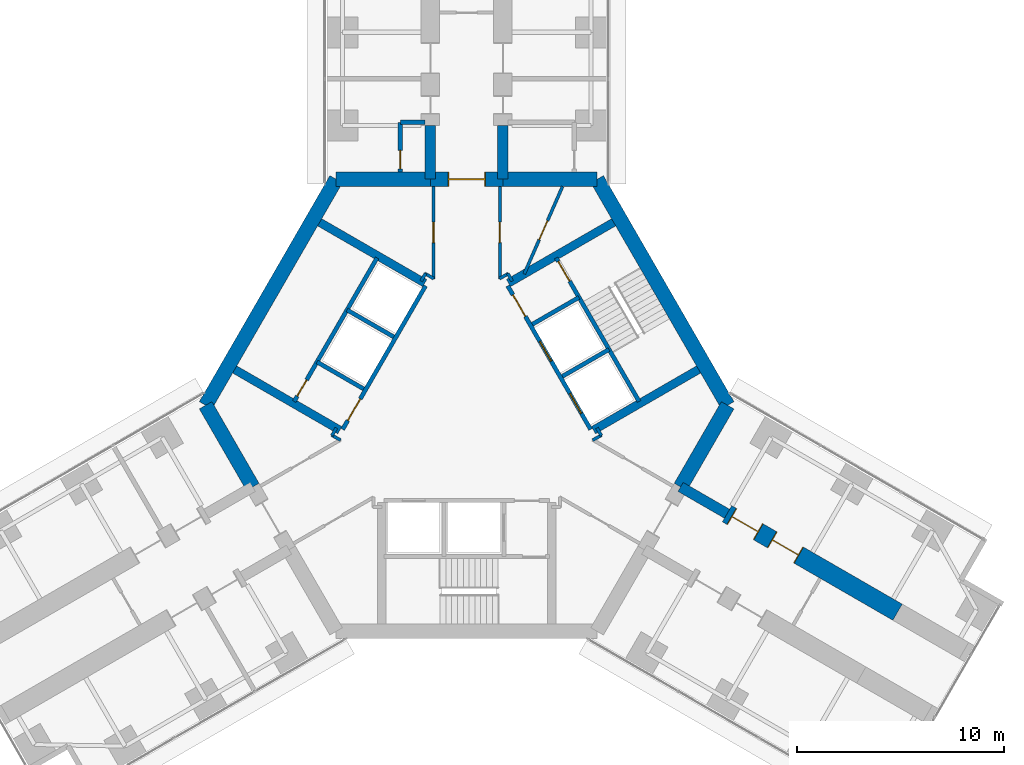
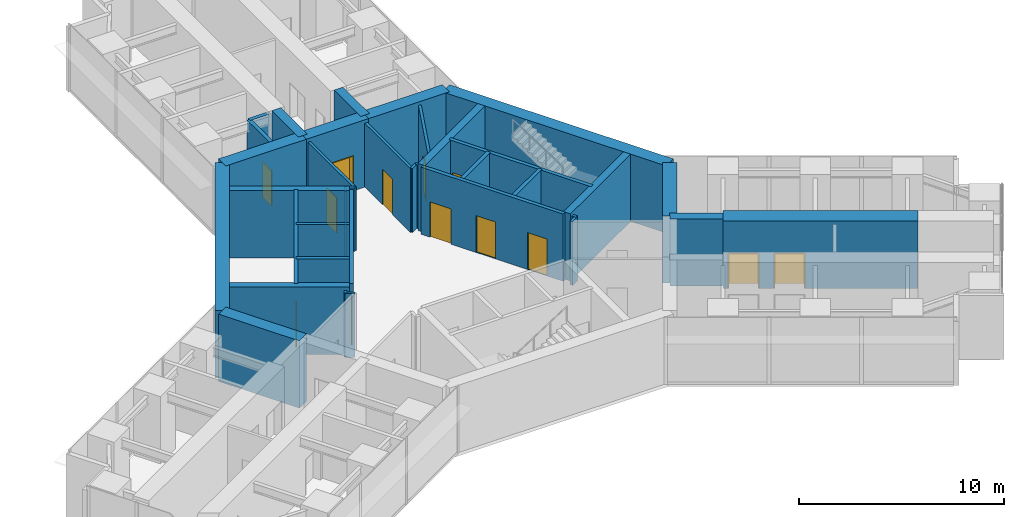
# One storey, part 20 of 23: 36 walls, 13 doors, 13 openings.
"""IFC4 building model written with IfcOpenShell, lengths in metres."""

from ifc_helpers import new_model, si_unit, direction, frame, frame_2d, origin, place, context, subcontext, project, spatial, rectangle, extrude, material, layer, layer_set, type_object, element, fill, save


model = new_model("IFC4")

# Units and contexts
model_context = context("Model", 3, precision=1e-05, world=origin(), true_north=direction((0.0, 1.0)))
body_context = subcontext(model_context, "Body", "Model", "MODEL_VIEW")
ifc_project = project(units=[si_unit("LENGTHUNIT", "METRE"), si_unit("AREAUNIT", "SQUARE_METRE"), si_unit("VOLUMEUNIT", "CUBIC_METRE"), si_unit("PLANEANGLEUNIT", "RADIAN"), si_unit("MASSUNIT", "GRAM", prefix="KILO")], contexts=[model_context])

# Site, building, storey
site_placement = place(None, origin())
site = spatial("IfcSite", under=ifc_project, at=site_placement, CompositionType="ELEMENT")
building_placement = place(site_placement, origin())
building = spatial("IfcBuilding", under=site, at=building_placement, Name="Upepo Twin Towers", CompositionType="ELEMENT")
storey_placement = place(building_placement, frame((0.0, 0.0, 24.5)))
storey = spatial("IfcBuildingStorey", under=building, at=storey_placement, Name="L05", CompositionType="ELEMENT", Elevation=24.5)

# Wall, opening, door
ifc_material_1 = material(Name="Concrete blockwork, plastered both faces", Category="masonry")
ifc_layer_1 = layer(ifc_material_1, 0.215087890625)
ifc_layer_set_1 = layer_set([ifc_layer_1], Name="Blockwork partition 215")
wall_type_1 = type_object("IfcWallType", Name="Blockwork partition 215", PredefinedType="PARTITIONING", material=ifc_layer_set_1)
wall_1_placement = place(storey_placement, frame((55.300048828125, -6.741943359375, 0.0), z_axis=(0.0, 0.0, 1.0), x_axis=(0.0, 1.0, 0.0)))
wall_1 = element("IfcWall", 1, at=wall_1_placement, inside=storey, type_object=wall_type_1, Name="T2 WC bay partition AL at 11.26", PredefinedType="PARTITIONING", context=body_context, shape_type="SweptSolid", body=[
    extrude(rectangle(XDim=2.39990234375, YDim=0.215087890625, at=frame_2d((1.199951171875, 0.0))), origin(), (0.0, 0.0, 1.0), 3.800048828125),
])
opening_1_placement = place(wall_1_placement, frame((0.14990234375, 0.0, 0.0)))
opening_1 = element("IfcOpeningElement", 2, at=opening_1_placement, cuts=wall_1, Name="Opening D14", PredefinedType="OPENING", context=body_context, shape_type="SweptSolid", body=[
    extrude(rectangle(XDim=0.89990234375, YDim=2.10009765625, at=frame_2d((0.449951171875, 1.050048828125))), frame((0.0, 0.117431640625, 0.0), z_axis=(0.0, -1.0, 0.0), x_axis=(1.0, 0.0, 0.0)), (0.0, 0.0, 1.0), 0.235107421875),
])
ifc_material_2 = material(Name="Timber doorset", Category="wood")
door_type_1 = type_object("IfcDoorType", Name="Office door 900 FD30", OperationType="SINGLE_SWING_LEFT", PredefinedType="DOOR", material=ifc_material_2)
door_1_placement = place(opening_1_placement, origin())
door_1 = element("IfcDoor", 3, at=door_1_placement, inside=storey, type_object=door_type_1, Name="T2 L05 WC bay inner room door", OperationType="SINGLE_SWING_LEFT", OverallHeight=2.10009765625, OverallWidth=0.89990234375, PredefinedType="DOOR", context=body_context, shape_type="SweptSolid", body=[
    extrude(rectangle(XDim=0.89990234375, YDim=2.10009765625, at=frame_2d((0.449951171875, 1.050048828125))), frame((0.0, 0.02490234375, 0.0), z_axis=(0.0, -1.0, 0.0), x_axis=(1.0, 0.0, 0.0)), (0.0, 0.0, 1.0), 0.050048828125),
])
fill(opening_1, door_1)

# Walls
wall_2_placement = place(storey_placement, frame((56.5, -4.342041015625, 0.0), z_axis=(0.0, 0.0, 1.0), x_axis=(-1.0, 0.0, 0.0)))
element("IfcWall", 4, at=wall_2_placement, inside=storey, type_object=wall_type_1, Name="T2 WC bay partition AL end at 13.66", PredefinedType="PARTITIONING", context=body_context, shape_type="SweptSolid", body=[
    extrude(rectangle(XDim=1.199951171875, YDim=0.215087890625, at=frame_2d((0.60009765625, 0.0))), origin(), (0.0, 0.0, 1.0), 3.800048828125),
])
ifc_material_3 = material(Name="Concrete C60/75", Category="concrete")
ifc_layer_2 = layer(ifc_material_3, 0.5)
ifc_layer_set_2 = layer_set([ifc_layer_2], Name="Concrete C60/75")
wall_type_2 = type_object("IfcWallType", Name="Buttress wall 500 RC", PredefinedType="SHEAR", material=ifc_layer_set_2)
for number, where, z_axis, x_axis, name in (
    (5, (56.75, -7.091552734375, 0.0), (0.0, 0.0, 1.0), (0.0, 1.0, 0.0), "T2 wing A buttress wall L"),
    (6, (60.25, -7.091552734375, 0.0), (0.0, 0.0, 1.0), (0.0, 1.0, 0.0), "T2 wing A buttress wall R"),
):
    element("IfcWall", number, at=place(storey_placement, frame(where, z_axis=z_axis, x_axis=x_axis)), inside=storey, type_object=wall_type_2, Name=name, PredefinedType="SHEAR", context=body_context, shape_type="SweptSolid", body=[
        extrude(rectangle(XDim=2.591552734375, YDim=0.5, at=frame_2d((1.2958984375, 0.0))), origin(), (0.0, 0.0, 1.0), 4.0),
    ])
wall_3_placement = place(storey_placement, frame((68.82177734375, -21.938720703125, 0.0), z_axis=(0.0, 0.0, 1.0), x_axis=(0.866072649678, -0.499918158782, 0.0)))
element("IfcWall", 7, at=wall_3_placement, inside=storey, type_object=wall_type_2, Name="T2 wing C buttress wall L", PredefinedType="SHEAR", context=body_context, shape_type="SweptSolid", body=[
    extrude(rectangle(XDim=2.591796875, YDim=0.5, at=frame_2d((1.2958984375, 0.0))), origin(), (0.0, 0.0, 1.0), 4.0),
])

# Wall, openings, doors
ifc_material_4 = material(Name="Concrete C60/75", Category="concrete")
ifc_layer_3 = layer(ifc_material_4, 0.89990234375)
ifc_layer_set_3 = layer_set([ifc_layer_3], Name="Concrete C60/75")
wall_type_3 = type_object("IfcWallType", Name="Buttress wall 900 RC", PredefinedType="SHEAR", material=ifc_layer_set_3)
wall_4_placement = place(storey_placement, frame((71.06640625, -23.234375, 0.0), z_axis=(0.0, 0.0, 1.0), x_axis=(0.86602681393, -0.499997557548, 0.0)))
wall_4 = element("IfcWall", 8, at=wall_4_placement, inside=storey, type_object=wall_type_3, Name="T2 wing C buttress wall L part 2", PredefinedType="SHEAR", context=body_context, shape_type="SweptSolid", body=[
    extrude(rectangle(XDim=9.5, YDim=0.89990234375, at=frame_2d((4.75, 0.0))), origin(), (0.0, 0.0, 1.0), 4.0),
])
opening_2_placement = place(wall_4_placement, frame((0.25, 0.0, 0.0)))
opening_2 = element("IfcOpeningElement", 9, at=opening_2_placement, cuts=wall_4, Name="Opening D13", PredefinedType="OPENING", context=body_context, shape_type="SweptSolid", body=[
    extrude(rectangle(XDim=1.5, YDim=2.10009765625, at=frame_2d((0.75, 1.050048828125))), frame((0.0, 0.4599609375, 0.0), z_axis=(0.0, -1.0, 0.0), x_axis=(1.0, 0.0, 0.0)), (0.0, 0.0, 1.0), 0.919921875),
])
opening_3_placement = place(wall_4_placement, frame((2.5, 0.0, 0.0)))
opening_3 = element("IfcOpeningElement", 10, at=opening_3_placement, cuts=wall_4, Name="Opening D13", PredefinedType="OPENING", context=body_context, shape_type="SweptSolid", body=[
    extrude(rectangle(XDim=1.5, YDim=2.10009765625, at=frame_2d((0.75, 1.050048828125))), frame((0.0, 0.4599609375, 0.0), z_axis=(0.0, -1.0, 0.0), x_axis=(1.0, 0.0, 0.0)), (0.0, 0.0, 1.0), 0.919921875),
])
ifc_material_5 = material(Name="Timber doorset", Category="wood")
door_type_2 = type_object("IfcDoorType", Name="Double door 1500 FD30", OperationType="DOUBLE_DOOR_SINGLE_SWING", PredefinedType="DOOR", material=ifc_material_5)
door_2_placement = place(opening_2_placement, origin())
door_2 = element("IfcDoor", 11, at=door_2_placement, inside=storey, type_object=door_type_2, Name="T2 L05 lecture room door", OperationType="DOUBLE_DOOR_SINGLE_SWING", OverallHeight=2.10009765625, OverallWidth=1.5, PredefinedType="DOOR", context=body_context, shape_type="SweptSolid", body=[
    extrude(rectangle(XDim=1.42, YDim=2.06009765625, at=frame_2d((0.75, 1.030029296875))), frame((0.0, 0.02490234375, 0.0), z_axis=(0.0, -1.0, 0.0), x_axis=(1.0, 0.0, 0.0)), (0.0, 0.0, 1.0), 0.050048828125),
    extrude(rectangle(XDim=0.04, YDim=2.10009765625, at=frame_2d((0.02001953125, 1.050048828125))), frame((0.0, 0.44970703125, 0.0), z_axis=(0.0, -1.0, 0.0), x_axis=(1.0, 0.0, 0.0)), (0.0, 0.0, 1.0), 0.8994140625),
    extrude(rectangle(XDim=0.04, YDim=2.10009765625, at=frame_2d((1.47998046875, 1.050048828125))), frame((0.0, 0.44970703125, 0.0), z_axis=(0.0, -1.0, 0.0), x_axis=(1.0, 0.0, 0.0)), (0.0, 0.0, 1.0), 0.8994140625),
    extrude(rectangle(XDim=1.42, YDim=0.04, at=frame_2d((0.75, 2.080078125))), frame((0.0, 0.44970703125, 0.0), z_axis=(0.0, -1.0, 0.0), x_axis=(1.0, 0.0, 0.0)), (0.0, 0.0, 1.0), 0.8994140625),
])
fill(opening_2, door_2)
door_3_placement = place(opening_3_placement, origin())
door_3 = element("IfcDoor", 12, at=door_3_placement, inside=storey, type_object=door_type_2, Name="T2 L05 lecture room door", OperationType="DOUBLE_DOOR_SINGLE_SWING", OverallHeight=2.10009765625, OverallWidth=1.5, PredefinedType="DOOR", context=body_context, shape_type="SweptSolid", body=[
    extrude(rectangle(XDim=1.42, YDim=2.06009765625, at=frame_2d((0.75, 1.030029296875))), frame((0.0, 0.02490234375, 0.0), z_axis=(0.0, -1.0, 0.0), x_axis=(1.0, 0.0, 0.0)), (0.0, 0.0, 1.0), 0.050048828125),
    extrude(rectangle(XDim=0.04, YDim=2.10009765625, at=frame_2d((0.02001953125, 1.050048828125))), frame((0.0, 0.44970703125, 0.0), z_axis=(0.0, -1.0, 0.0), x_axis=(1.0, 0.0, 0.0)), (0.0, 0.0, 1.0), 0.8994140625),
    extrude(rectangle(XDim=0.04, YDim=2.10009765625, at=frame_2d((1.47998046875, 1.050048828125))), frame((0.0, 0.44970703125, 0.0), z_axis=(0.0, -1.0, 0.0), x_axis=(1.0, 0.0, 0.0)), (0.0, 0.0, 1.0), 0.8994140625),
    extrude(rectangle(XDim=1.42, YDim=0.04, at=frame_2d((0.75, 2.080078125))), frame((0.0, 0.44970703125, 0.0), z_axis=(0.0, -1.0, 0.0), x_axis=(1.0, 0.0, 0.0)), (0.0, 0.0, 1.0), 0.8994140625),
])
fill(opening_3, door_3)

# Wall
ifc_material_6 = material(Name="Concrete C60/75", Category="concrete")
ifc_layer_4 = layer(ifc_material_6, 0.699951171875)
ifc_layer_set_4 = layer_set([ifc_layer_4], Name="Concrete C60/75")
wall_type_4 = type_object("IfcWallType", Name="Core wall 700 RC", PredefinedType="SHEAR", material=ifc_layer_set_4)
wall_5_placement = place(storey_placement, frame((64.7978515625, -7.091552734375, 0.0), z_axis=(0.0, 0.0, 1.0), x_axis=(-1.0, 0.0, 0.0)))
element("IfcWall", 13, at=wall_5_placement, inside=storey, type_object=wall_type_4, Name="T2 core wall 000 R", PredefinedType="SHEAR", context=body_context, shape_type="SweptSolid", body=[
    extrude(rectangle(XDim=4.5478515625, YDim=0.699951171875, at=frame_2d((2.27392578125, 0.0))), origin(), (0.0, 0.0, 1.0), 4.0),
])

# Wall, opening, door
wall_6_placement = place(storey_placement, frame((60.25, -7.091552734375, 0.0), z_axis=(0.0, 0.0, 1.0), x_axis=(-1.0, 0.0, 0.0)))
wall_6 = element("IfcWall", 14, at=wall_6_placement, inside=storey, type_object=wall_type_4, Name="T2 core wall 000", PredefinedType="SHEAR", context=body_context, shape_type="SweptSolid", body=[
    extrude(rectangle(XDim=3.5, YDim=0.699951171875, at=frame_2d((1.75, 0.0))), origin(), (0.0, 0.0, 1.0), 4.0),
])
opening_4_placement = place(wall_6_placement, frame((0.85009765625, 0.0, 0.0)))
opening_4 = element("IfcOpeningElement", 15, at=opening_4_placement, cuts=wall_6, Name="Opening D2", PredefinedType="OPENING", context=body_context, shape_type="SweptSolid", body=[
    extrude(rectangle(XDim=1.800048828125, YDim=2.10009765625, at=frame_2d((0.89990234375, 1.050048828125))), frame((0.0, 0.35986328125, 0.0), z_axis=(0.0, -1.0, 0.0), x_axis=(1.0, 0.0, 0.0)), (0.0, 0.0, 1.0), 0.719970703125),
])
ifc_material_7 = material(Name="Timber doorset", Category="wood")
door_type_3 = type_object("IfcDoorType", Name="Corridor double door 1800 FD60", OperationType="DOUBLE_DOOR_DOUBLE_SWING", PredefinedType="DOOR", material=ifc_material_7)
door_4_placement = place(opening_4_placement, origin())
door_4 = element("IfcDoor", 16, at=door_4_placement, inside=storey, type_object=door_type_3, Name="T2 L05 wing A corridor door", OperationType="DOUBLE_DOOR_DOUBLE_SWING", OverallHeight=2.10009765625, OverallWidth=1.800048828125, PredefinedType="DOOR", context=body_context, shape_type="SweptSolid", body=[
    extrude(rectangle(XDim=1.720048828125, YDim=2.06009765625, at=frame_2d((0.89990234375, 1.030029296875))), frame((0.0, 0.02490234375, 0.0), z_axis=(0.0, -1.0, 0.0), x_axis=(1.0, 0.0, 0.0)), (0.0, 0.0, 1.0), 0.050048828125),
    extrude(rectangle(XDim=0.04, YDim=2.10009765625, at=frame_2d((0.02001953125, 1.050048828125))), frame((0.0, 0.349609375, 0.0), z_axis=(0.0, -1.0, 0.0), x_axis=(1.0, 0.0, 0.0)), (0.0, 0.0, 1.0), 0.699462890625),
    extrude(rectangle(XDim=0.04, YDim=2.10009765625, at=frame_2d((1.780029296875, 1.050048828125))), frame((0.0, 0.349609375, 0.0), z_axis=(0.0, -1.0, 0.0), x_axis=(1.0, 0.0, 0.0)), (0.0, 0.0, 1.0), 0.699462890625),
    extrude(rectangle(XDim=1.720048828125, YDim=0.04, at=frame_2d((0.89990234375, 2.080078125))), frame((0.0, 0.349609375, 0.0), z_axis=(0.0, -1.0, 0.0), x_axis=(1.0, 0.0, 0.0)), (0.0, 0.0, 1.0), 0.699462890625),
])
fill(opening_4, door_4)

# Walls
wall_7_placement = place(storey_placement, frame((56.75, -7.091552734375, 0.0), z_axis=(0.0, 0.0, 1.0), x_axis=(-1.0, 0.0, 0.0)))
element("IfcWall", 17, at=wall_7_placement, inside=storey, type_object=wall_type_4, Name="T2 core wall 000 L", PredefinedType="SHEAR", context=body_context, shape_type="SweptSolid", body=[
    extrude(rectangle(XDim=4.5478515625, YDim=0.699951171875, at=frame_2d((2.27392578125, 0.0))), origin(), (0.0, 0.0, 1.0), 4.0),
])
wall_8_placement = place(storey_placement, frame((52.2021484375, -7.091552734375, 0.0), z_axis=(0.0, 0.0, 1.0), x_axis=(-0.500005998175, -0.866021940709, 0.0)))
element("IfcWall", 18, at=wall_8_placement, inside=storey, type_object=wall_type_4, Name="T2 core wall 060", PredefinedType="SHEAR", context=body_context, shape_type="SweptSolid", body=[
    extrude(rectangle(XDim=12.595947265625, YDim=0.699951171875, at=frame_2d((6.2978515625, 0.0))), origin(), (0.0, 0.0, 1.0), 4.0),
])
for number, where, z_axis, x_axis, name in (
    (19, (45.904052734375, -18.0, 0.0), (0.0, 0.0, 1.0), (0.500024481964, -0.866011268655, 0.0), "T2 core wall 120 R"),
    (20, (68.82177734375, -21.938720703125, 0.0), (0.0, 0.0, 1.0), (0.500024481964, 0.866011268655, 0.0), "T2 core wall 240 L"),
):
    element("IfcWall", number, at=place(storey_placement, frame(where, z_axis=z_axis, x_axis=x_axis)), inside=storey, type_object=wall_type_4, Name=name, PredefinedType="SHEAR", context=body_context, shape_type="SweptSolid", body=[
        extrude(rectangle(XDim=4.548095703125, YDim=0.699951171875, at=frame_2d((2.27392578125, 0.0))), origin(), (0.0, 0.0, 1.0), 4.0),
    ])
wall_9_placement = place(storey_placement, frame((71.095947265625, -18.0, 0.0), z_axis=(0.0, 0.0, 1.0), x_axis=(-0.500005998175, 0.866021940709, 0.0)))
element("IfcWall", 21, at=wall_9_placement, inside=storey, type_object=wall_type_4, Name="T2 core wall 300", PredefinedType="SHEAR", context=body_context, shape_type="SweptSolid", body=[
    extrude(rectangle(XDim=12.595947265625, YDim=0.699951171875, at=frame_2d((6.2978515625, 0.0))), origin(), (0.0, 0.0, 1.0), 4.0),
])

# Wall, opening, door
ifc_material_8 = material(Name="Concrete C40/50", Category="concrete")
ifc_layer_5 = layer(ifc_material_8, 0.199951171875)
ifc_layer_set_5 = layer_set([ifc_layer_5], Name="Concrete C40/50")
wall_type_5 = type_object("IfcWallType", Name="Shaft wall 200 RC", PredefinedType="SHEAR", material=ifc_layer_set_5)
wall_10_placement = place(storey_placement, frame((56.516357421875, -12.23583984375, 0.0), z_axis=(0.0, 0.0, 1.0), x_axis=(-0.49999894854, -0.866026010844, 0.0)))
wall_10 = element("IfcWall", 22, at=wall_10_placement, inside=storey, type_object=wall_type_5, Name="T2 core W60 front wall", PredefinedType="SHEAR", context=body_context, shape_type="SweptSolid", body=[
    extrude(rectangle(XDim=8.0, YDim=0.199951171875, at=frame_2d((4.0, 0.0))), origin(), (0.0, 0.0, 1.0), 4.0),
])
opening_5_placement = place(wall_10_placement, frame((6.300048828125, 0.0, 0.0)))
opening_5 = element("IfcOpeningElement", 23, at=opening_5_placement, cuts=wall_10, Name="Opening D4", PredefinedType="OPENING", context=body_context, shape_type="SweptSolid", body=[
    extrude(rectangle(XDim=1.199951171875, YDim=2.10009765625, at=frame_2d((0.60009765625, 1.050048828125))), frame((0.0, 0.10986328125, 0.0), z_axis=(0.0, -1.0, 0.0), x_axis=(1.0, 0.0, 0.0)), (0.0, 0.0, 1.0), 0.219970703125),
])
ifc_material_9 = material(Name="Timber doorset", Category="wood")
door_type_4 = type_object("IfcDoorType", Name="Lobby door 1200 FD60", OperationType="SINGLE_SWING_LEFT", PredefinedType="DOOR", material=ifc_material_9)
door_5_placement = place(opening_5_placement, origin())
door_5 = element("IfcDoor", 24, at=door_5_placement, inside=storey, type_object=door_type_4, Name="T2 L05 W60 lobby door", OperationType="SINGLE_SWING_RIGHT", OverallHeight=2.10009765625, OverallWidth=1.199951171875, PredefinedType="DOOR", context=body_context, shape_type="SweptSolid", body=[
    extrude(rectangle(XDim=1.199951171875, YDim=2.10009765625, at=frame_2d((0.60009765625, 1.050048828125))), frame((0.0, 0.02490234375, 0.0), z_axis=(0.0, -1.0, 0.0), x_axis=(1.0, 0.0, 0.0)), (0.0, 0.0, 1.0), 0.050048828125),
])
fill(opening_5, door_5)

# Walls
for number, where, z_axis, x_axis, name in (
    (25, (54.979736328125, -14.697265625, 0.0), (0.0, 0.0, 1.0), (-0.866062058628, 0.499936506574, 0.0), "T2 core W60 shaft divider"),
    (26, (53.52978515625, -17.208740234375, 0.0), (0.0, 0.0, 1.0), (-0.866062058628, 0.499936506574, 0.0), "T2 core W60 lobby wall"),
):
    element("IfcWall", number, at=place(storey_placement, frame(where, z_axis=z_axis, x_axis=x_axis)), inside=storey, type_object=wall_type_5, Name=name, PredefinedType="SHEAR", context=body_context, shape_type="SweptSolid", body=[
        extrude(rectangle(XDim=2.599853515625, YDim=0.199951171875, at=frame_2d((1.2998046875, 0.0))), origin(), (0.0, 0.0, 1.0), 4.0),
    ])

# Wall, opening, door
wall_11_placement = place(storey_placement, frame((54.177978515625, -10.885986328125, 0.0), z_axis=(0.0, 0.0, 1.0), x_axis=(-0.49999894854, -0.866026010844, 0.0)))
wall_11 = element("IfcWall", 27, at=wall_11_placement, inside=storey, type_object=wall_type_5, Name="T2 core W60 stair wall", PredefinedType="SHEAR", context=body_context, shape_type="SweptSolid", body=[
    extrude(rectangle(XDim=8.0, YDim=0.199951171875, at=frame_2d((4.0, 0.0))), origin(), (0.0, 0.0, 1.0), 4.0),
])
opening_6_placement = place(wall_11_placement, frame((6.800048828125, 0.0, 0.0)))
opening_6 = element("IfcOpeningElement", 28, at=opening_6_placement, cuts=wall_11, Name="Opening D9", PredefinedType="OPENING", context=body_context, shape_type="SweptSolid", body=[
    extrude(rectangle(XDim=0.89990234375, YDim=2.10009765625, at=frame_2d((0.449951171875, 1.050048828125))), frame((0.0, 0.10986328125, 0.0), z_axis=(0.0, -1.0, 0.0), x_axis=(1.0, 0.0, 0.0)), (0.0, 0.0, 1.0), 0.219970703125),
])
ifc_material_10 = material(Name="Timber doorset", Category="wood")
door_type_5 = type_object("IfcDoorType", Name="Riser door 900 FD60", OperationType="SINGLE_SWING_LEFT", PredefinedType="DOOR", material=ifc_material_10)
door_6_placement = place(opening_6_placement, origin())
door_6 = element("IfcDoor", 29, at=door_6_placement, inside=storey, type_object=door_type_5, Name="T2 L05 riser door", OperationType="SINGLE_SWING_RIGHT", OverallHeight=2.10009765625, OverallWidth=0.89990234375, PredefinedType="DOOR", context=body_context, shape_type="SweptSolid", body=[
    extrude(rectangle(XDim=0.89990234375, YDim=2.10009765625, at=frame_2d((0.449951171875, 1.050048828125))), frame((0.0, 0.02490234375, 0.0), z_axis=(0.0, -1.0, 0.0), x_axis=(1.0, 0.0, 0.0)), (0.0, 0.0, 1.0), 0.050048828125),
])
fill(opening_6, door_6)

# Wall, openings, doors
wall_12_placement = place(storey_placement, frame((64.483642578125, -19.1640625, 0.0), z_axis=(0.0, 0.0, 1.0), x_axis=(-0.49999894854, 0.866026010844, 0.0)))
wall_12 = element("IfcWall", 30, at=wall_12_placement, inside=storey, type_object=wall_type_5, Name="T2 core W300 front wall", PredefinedType="SHEAR", context=body_context, shape_type="SweptSolid", body=[
    extrude(rectangle(XDim=8.0, YDim=0.199951171875, at=frame_2d((4.0, 0.0))), origin(), (0.0, 0.0, 1.0), 4.0),
])
opening_7_placement = place(wall_12_placement, frame((6.300048828125, 0.0, 0.0)))
opening_7 = element("IfcOpeningElement", 31, at=opening_7_placement, cuts=wall_12, Name="Opening D4", PredefinedType="OPENING", context=body_context, shape_type="SweptSolid", body=[
    extrude(rectangle(XDim=1.199951171875, YDim=2.10009765625, at=frame_2d((0.60009765625, 1.050048828125))), frame((0.0, 0.10986328125, 0.0), z_axis=(0.0, -1.0, 0.0), x_axis=(1.0, 0.0, 0.0)), (0.0, 0.0, 1.0), 0.219970703125),
])
opening_8_placement = place(wall_12_placement, frame((0.89990234375, 0.0, 0.0)))
opening_8 = element("IfcOpeningElement", 32, at=opening_8_placement, cuts=wall_12, Name="Opening LD1", PredefinedType="OPENING", context=body_context, shape_type="SweptSolid", body=[
    extrude(rectangle(XDim=1.10009765625, YDim=2.199951171875, at=frame_2d((0.550048828125, 1.10009765625))), frame((0.0, 0.10986328125, 0.0), z_axis=(0.0, -1.0, 0.0), x_axis=(1.0, 0.0, 0.0)), (0.0, 0.0, 1.0), 0.219970703125),
])
opening_9_placement = place(wall_12_placement, frame((3.800048828125, 0.0, 0.0)))
opening_9 = element("IfcOpeningElement", 33, at=opening_9_placement, cuts=wall_12, Name="Opening LD1", PredefinedType="OPENING", context=body_context, shape_type="SweptSolid", body=[
    extrude(rectangle(XDim=1.10009765625, YDim=2.199951171875, at=frame_2d((0.550048828125, 1.10009765625))), frame((0.0, 0.10986328125, 0.0), z_axis=(0.0, -1.0, 0.0), x_axis=(1.0, 0.0, 0.0)), (0.0, 0.0, 1.0), 0.219970703125),
])
ifc_material_11 = material(Name="Steel doorset", Category="steel")
door_type_6 = type_object("IfcDoorType", Name="Lift landing door 1100", OperationType="DOUBLE_DOOR_SLIDING", PredefinedType="DOOR", material=ifc_material_11)
door_7_placement = place(opening_8_placement, origin())
door_7 = element("IfcDoor", 34, at=door_7_placement, inside=storey, type_object=door_type_6, Name="T2 L05 lift LL1 landing door", OperationType="DOUBLE_DOOR_SLIDING", OverallHeight=2.199951171875, OverallWidth=1.10009765625, PredefinedType="DOOR", context=body_context, shape_type="SweptSolid", body=[
    extrude(rectangle(XDim=1.10009765625, YDim=2.199951171875, at=frame_2d((0.550048828125, 1.10009765625))), frame((0.0, 0.02490234375, 0.0), z_axis=(0.0, -1.0, 0.0), x_axis=(1.0, 0.0, 0.0)), (0.0, 0.0, 1.0), 0.050048828125),
])
fill(opening_8, door_7)
door_8_placement = place(opening_9_placement, origin())
door_8 = element("IfcDoor", 35, at=door_8_placement, inside=storey, type_object=door_type_6, Name="T2 L05 lift LL2 landing door", OperationType="DOUBLE_DOOR_SLIDING", OverallHeight=2.199951171875, OverallWidth=1.10009765625, PredefinedType="DOOR", context=body_context, shape_type="SweptSolid", body=[
    extrude(rectangle(XDim=1.10009765625, YDim=2.199951171875, at=frame_2d((0.550048828125, 1.10009765625))), frame((0.0, 0.02490234375, 0.0), z_axis=(0.0, -1.0, 0.0), x_axis=(1.0, 0.0, 0.0)), (0.0, 0.0, 1.0), 0.050048828125),
])
fill(opening_9, door_8)
door_9_placement = place(opening_7_placement, origin())
door_9 = element("IfcDoor", 36, at=door_9_placement, inside=storey, type_object=door_type_4, Name="T2 L05 W300 lobby door", OperationType="SINGLE_SWING_RIGHT", OverallHeight=2.10009765625, OverallWidth=1.199951171875, PredefinedType="DOOR", context=body_context, shape_type="SweptSolid", body=[
    extrude(rectangle(XDim=1.199951171875, YDim=2.10009765625, at=frame_2d((0.60009765625, 1.050048828125))), frame((0.0, 0.02490234375, 0.0), z_axis=(0.0, -1.0, 0.0), x_axis=(1.0, 0.0, 0.0)), (0.0, 0.0, 1.0), 0.050048828125),
])
fill(opening_7, door_9)

# Walls
wall_13_placement = place(storey_placement, frame((63.120361328125, -16.6025390625, 0.0), z_axis=(0.0, 0.0, 1.0), x_axis=(0.866062058628, 0.499936506574, 0.0)))
element("IfcWall", 37, at=wall_13_placement, inside=storey, type_object=wall_type_5, Name="T2 core W300 shaft divider", PredefinedType="SHEAR", context=body_context, shape_type="SweptSolid", body=[
    extrude(rectangle(XDim=2.599853515625, YDim=0.199951171875, at=frame_2d((1.2998046875, 0.0))), origin(), (0.0, 0.0, 1.0), 4.0),
])
wall_14_placement = place(storey_placement, frame((61.67041015625, -14.091064453125, 0.0), z_axis=(0.0, 0.0, 1.0), x_axis=(0.86603858612, 0.49997716683, 0.0)))
element("IfcWall", 38, at=wall_14_placement, inside=storey, type_object=wall_type_5, Name="T2 core W300 lobby wall", PredefinedType="SHEAR", context=body_context, shape_type="SweptSolid", body=[
    extrude(rectangle(XDim=2.599609375, YDim=0.199951171875, at=frame_2d((1.2998046875, 0.0))), origin(), (0.0, 0.0, 1.0), 4.0),
])

# Wall, opening, door
wall_15_placement = place(storey_placement, frame((66.822021484375, -17.814208984375, 0.0), z_axis=(0.0, 0.0, 1.0), x_axis=(-0.49999894854, 0.866026010844, 0.0)))
wall_15 = element("IfcWall", 39, at=wall_15_placement, inside=storey, type_object=wall_type_5, Name="T2 core W300 stair wall", PredefinedType="SHEAR", context=body_context, shape_type="SweptSolid", body=[
    extrude(rectangle(XDim=8.0, YDim=0.199951171875, at=frame_2d((4.0, 0.0))), origin(), (0.0, 0.0, 1.0), 4.0),
])
opening_10_placement = place(wall_15_placement, frame((6.699951171875, 0.0, 0.0)))
opening_10 = element("IfcOpeningElement", 40, at=opening_10_placement, cuts=wall_15, Name="Opening D3", PredefinedType="OPENING", context=body_context, shape_type="SweptSolid", body=[
    extrude(rectangle(XDim=1.10009765625, YDim=2.10009765625, at=frame_2d((0.550048828125, 1.050048828125))), frame((0.0, 0.10986328125, 0.0), z_axis=(0.0, -1.0, 0.0), x_axis=(1.0, 0.0, 0.0)), (0.0, 0.0, 1.0), 0.219970703125),
])
ifc_material_12 = material(Name="Timber doorset", Category="wood")
door_type_7 = type_object("IfcDoorType", Name="Stair door 1100 FD60", OperationType="SINGLE_SWING_LEFT", PredefinedType="DOOR", material=ifc_material_12)
door_10_placement = place(opening_10_placement, origin())
door_10 = element("IfcDoor", 41, at=door_10_placement, inside=storey, type_object=door_type_7, Name="T2 L05 stair door", OperationType="SINGLE_SWING_RIGHT", OverallHeight=2.10009765625, OverallWidth=1.10009765625, PredefinedType="DOOR", context=body_context, shape_type="SweptSolid", body=[
    extrude(rectangle(XDim=1.10009765625, YDim=2.10009765625, at=frame_2d((0.550048828125, 1.050048828125))), frame((0.0, 0.02490234375, 0.0), z_axis=(0.0, -1.0, 0.0), x_axis=(1.0, 0.0, 0.0)), (0.0, 0.0, 1.0), 0.050048828125),
])
fill(opening_10, door_10)

# Walls
ifc_material_13 = material(Name="Concrete C40/50", Category="concrete")
ifc_layer_6 = layer(ifc_material_13, 0.39990234375)
ifc_layer_set_6 = layer_set([ifc_layer_6], Name="Concrete C40/50")
wall_type_6 = type_object("IfcWallType", Name="Shaft wall 400 RC", PredefinedType="SHEAR", material=ifc_layer_set_6)
for number, where, z_axis, x_axis, name in (
    (42, (52.379638671875, -19.20068359375, 0.0), (0.0, 0.0, 1.0), (-0.866023886965, 0.500002627198, 0.0), "T2 core W60 side wall N"),
    (43, (56.479736328125, -12.099365234375, 0.0), (0.0, 0.0, 1.0), (-0.866023886965, 0.500002627198, 0.0), "T2 core W60 side wall S"),
    (44, (60.520263671875, -12.099365234375, 0.0), (0.0, 0.0, 1.0), (0.866023886965, 0.500002627198, 0.0), "T2 core W300 side wall N"),
    (45, (64.620361328125, -19.20068359375, 0.0), (0.0, 0.0, 1.0), (0.866023886965, 0.500002627198, 0.0), "T2 core W300 side wall S"),
):
    element("IfcWall", number, at=place(storey_placement, frame(where, z_axis=z_axis, x_axis=x_axis)), inside=storey, type_object=wall_type_6, Name=name, PredefinedType="SHEAR", context=body_context, shape_type="SweptSolid", body=[
        extrude(rectangle(XDim=5.8583984375, YDim=0.39990234375, at=frame_2d((2.92919921875, 0.0))), origin(), (0.0, 0.0, 1.0), 4.0),
    ])
ifc_material_14 = material(Name="Gypsum board on steel studs", Category="steel")
ifc_layer_7 = layer(ifc_material_14, 0.14990234375)
ifc_layer_set_7 = layer_set([ifc_layer_7], Name="Teaching partition 150 acoustic")
wall_type_7 = type_object("IfcWallType", Name="Teaching partition 150 acoustic", PredefinedType="PARTITIONING", material=ifc_layer_set_7)
wall_16_placement = place(storey_placement, frame((52.417236328125, -19.684326171875, 0.0), z_axis=(0.0, 0.0, 1.0), x_axis=(-0.865831790172, 0.50033519877, 0.0)))
element("IfcWall", 46, at=wall_16_placement, inside=storey, type_object=wall_type_7, Name="T2 core room partition 4", PredefinedType="PARTITIONING", context=body_context, shape_type="SweptSolid", body=[
    extrude(rectangle(XDim=0.494384765625, YDim=0.14990234375, at=frame_2d((0.2470703125, 0.0))), origin(), (0.0, 0.0, 1.0), 3.800048828125),
])
for number, where, z_axis, x_axis, name in (
    (47, (51.99658203125, -19.46435546875, 0.0), (0.0, 0.0, 1.0), (0.499804398801, 0.866138304741, 0.0), "T2 core room partition 5"),
    (48, (56.301513671875, -12.0078125, 0.0), (0.0, 0.0, 1.0), (0.500230298122, 0.865892400268, 0.0), "T2 core room partition 6"),
):
    element("IfcWall", number, at=place(storey_placement, frame(where, z_axis=z_axis, x_axis=x_axis)), inside=storey, type_object=wall_type_7, Name=name, PredefinedType="PARTITIONING", context=body_context, shape_type="SweptSolid", body=[
        extrude(rectangle(XDim=0.429931640625, YDim=0.14990234375, at=frame_2d((0.21484375, 0.0))), origin(), (0.0, 0.0, 1.0), 3.800048828125),
    ])
wall_17_placement = place(storey_placement, frame((56.4892578125, -11.642822265625, 0.0), z_axis=(0.0, 0.0, 1.0), x_axis=(0.865831790172, -0.50033519877, 0.0)))
element("IfcWall", 49, at=wall_17_placement, inside=storey, type_object=wall_type_7, Name="T2 core room partition 7", PredefinedType="PARTITIONING", context=body_context, shape_type="SweptSolid", body=[
    extrude(rectangle(XDim=0.494384765625, YDim=0.14990234375, at=frame_2d((0.2470703125, 0.0))), origin(), (0.0, 0.0, 1.0), 3.800048828125),
])

# Wall, opening, door
wall_18_placement = place(storey_placement, frame((56.89990234375, -11.900146484375, 0.0), z_axis=(0.0, 0.0, 1.0), x_axis=(0.0, 1.0, 0.0)))
wall_18 = element("IfcWall", 50, at=wall_18_placement, inside=storey, type_object=wall_type_7, Name="T2 core room partition 8", PredefinedType="PARTITIONING", context=body_context, shape_type="SweptSolid", body=[
    extrude(rectangle(XDim=4.468505859375, YDim=0.14990234375, at=frame_2d((2.234375, 0.0))), origin(), (0.0, 0.0, 1.0), 3.800048828125),
])
opening_11_placement = place(wall_18_placement, frame((1.744384765625, 0.0, 0.0)))
opening_11 = element("IfcOpeningElement", 51, at=opening_11_placement, cuts=wall_18, Name="Opening D1", PredefinedType="OPENING", context=body_context, shape_type="SweptSolid", body=[
    extrude(rectangle(XDim=1.0, YDim=2.10009765625, at=frame_2d((0.5, 1.050048828125))), frame((0.0, 0.0849609375, 0.0), z_axis=(0.0, -1.0, 0.0), x_axis=(1.0, 0.0, 0.0)), (0.0, 0.0, 1.0), 0.169921875),
])
ifc_material_15 = material(Name="Timber doorset", Category="wood")
door_type_8 = type_object("IfcDoorType", Name="Room door 1000 FD30", OperationType="SINGLE_SWING_LEFT", PredefinedType="DOOR", material=ifc_material_15)
door_11_placement = place(opening_11_placement, origin())
door_11 = element("IfcDoor", 52, at=door_11_placement, inside=storey, type_object=door_type_8, Name="T2 L05 core room door K7", OperationType="SINGLE_SWING_RIGHT", OverallHeight=2.10009765625, OverallWidth=1.0, PredefinedType="DOOR", context=body_context, shape_type="SweptSolid", body=[
    extrude(rectangle(XDim=1.0, YDim=2.10009765625, at=frame_2d((0.5, 1.050048828125))), frame((0.0, 0.02490234375, 0.0), z_axis=(0.0, -1.0, 0.0), x_axis=(1.0, 0.0, 0.0)), (0.0, 0.0, 1.0), 0.050048828125),
])
fill(opening_11, door_11)

wall_19_placement = place(storey_placement, frame((60.10009765625, -7.431640625, 0.0), z_axis=(0.0, 0.0, 1.0), x_axis=(0.0, -1.0, 0.0)))
wall_19 = element("IfcWall", 53, at=wall_19_placement, inside=storey, type_object=wall_type_7, Name="T2 core room partition 9", PredefinedType="PARTITIONING", context=body_context, shape_type="SweptSolid", body=[
    extrude(rectangle(XDim=4.468505859375, YDim=0.14990234375, at=frame_2d((2.234375, 0.0))), origin(), (0.0, 0.0, 1.0), 3.800048828125),
])
opening_12_placement = place(wall_19_placement, frame((1.72412109375, 0.0, 0.0)))
opening_12 = element("IfcOpeningElement", 54, at=opening_12_placement, cuts=wall_19, Name="Opening D1", PredefinedType="OPENING", context=body_context, shape_type="SweptSolid", body=[
    extrude(rectangle(XDim=1.0, YDim=2.10009765625, at=frame_2d((0.5, 1.050048828125))), frame((0.0, 0.0849609375, 0.0), z_axis=(0.0, -1.0, 0.0), x_axis=(1.0, 0.0, 0.0)), (0.0, 0.0, 1.0), 0.169921875),
])
door_12_placement = place(opening_12_placement, origin())
door_12 = element("IfcDoor", 55, at=door_12_placement, inside=storey, type_object=door_type_8, Name="T2 L05 core room door K5", OperationType="SINGLE_SWING_LEFT", OverallHeight=2.10009765625, OverallWidth=1.0, PredefinedType="DOOR", context=body_context, shape_type="SweptSolid", body=[
    extrude(rectangle(XDim=1.0, YDim=2.10009765625, at=frame_2d((0.5, 1.050048828125))), frame((0.0, 0.02490234375, 0.0), z_axis=(0.0, -1.0, 0.0), x_axis=(1.0, 0.0, 0.0)), (0.0, 0.0, 1.0), 0.050048828125),
])
fill(opening_12, door_12)

# Walls
wall_20_placement = place(storey_placement, frame((60.082763671875, -11.89013671875, 0.0), z_axis=(0.0, 0.0, 1.0), x_axis=(0.865831790172, 0.50033519877, 0.0)))
element("IfcWall", 56, at=wall_20_placement, inside=storey, type_object=wall_type_7, Name="T2 core room partition 10", PredefinedType="PARTITIONING", context=body_context, shape_type="SweptSolid", body=[
    extrude(rectangle(XDim=0.494384765625, YDim=0.14990234375, at=frame_2d((0.2470703125, 0.0))), origin(), (0.0, 0.0, 1.0), 3.800048828125),
])
for number, where, z_axis, x_axis, name in (
    (57, (60.4833984375, -11.635498046875, 0.0), (0.0, 0.0, 1.0), (0.500230298122, -0.865892400268, 0.0), "T2 core room partition 11"),
    (58, (64.78857421875, -19.092041015625, 0.0), (0.0, 0.0, 1.0), (0.499804398801, -0.866138304741, 0.0), "T2 core room partition 12"),
):
    element("IfcWall", number, at=place(storey_placement, frame(where, z_axis=z_axis, x_axis=x_axis)), inside=storey, type_object=wall_type_7, Name=name, PredefinedType="PARTITIONING", context=body_context, shape_type="SweptSolid", body=[
        extrude(rectangle(XDim=0.429931640625, YDim=0.14990234375, at=frame_2d((0.21484375, 0.0))), origin(), (0.0, 0.0, 1.0), 3.800048828125),
    ])
wall_21_placement = place(storey_placement, frame((65.0107421875, -19.43701171875, 0.0), z_axis=(0.0, 0.0, 1.0), x_axis=(-0.865831790172, -0.50033519877, 0.0)))
element("IfcWall", 59, at=wall_21_placement, inside=storey, type_object=wall_type_7, Name="T2 core room partition 13", PredefinedType="PARTITIONING", context=body_context, shape_type="SweptSolid", body=[
    extrude(rectangle(XDim=0.494384765625, YDim=0.14990234375, at=frame_2d((0.2470703125, 0.0))), origin(), (0.0, 0.0, 1.0), 3.800048828125),
])

# Wall, opening, door
wall_22_placement = place(storey_placement, frame((61.277099609375, -11.662353515625, 0.0), z_axis=(0.0, 0.0, 1.0), x_axis=(0.40133016735, 0.915933456521, 0.0)))
wall_22 = element("IfcWall", 60, at=wall_22_placement, inside=storey, type_object=wall_type_7, Name="T2 core room partition 19", PredefinedType="PARTITIONING", context=body_context, shape_type="SweptSolid", body=[
    extrude(rectangle(XDim=4.608154296875, YDim=0.14990234375, at=frame_2d((2.30419921875, 0.0))), origin(), (0.0, 0.0, 1.0), 3.800048828125),
])
opening_13_placement = place(wall_22_placement, frame((1.803955078125, 0.0, 0.0)))
opening_13 = element("IfcOpeningElement", 61, at=opening_13_placement, cuts=wall_22, Name="Opening D1", PredefinedType="OPENING", context=body_context, shape_type="SweptSolid", body=[
    extrude(rectangle(XDim=1.0, YDim=2.10009765625, at=frame_2d((0.5, 1.050048828125))), frame((0.0, 0.0849609375, 0.0), z_axis=(0.0, -1.0, 0.0), x_axis=(1.0, 0.0, 0.0)), (0.0, 0.0, 1.0), 0.169921875),
])
door_13_placement = place(opening_13_placement, origin())
door_13 = element("IfcDoor", 62, at=door_13_placement, inside=storey, type_object=door_type_8, Name="T2 L05 core room door K6", OperationType="SINGLE_SWING_LEFT", OverallHeight=2.10009765625, OverallWidth=1.0, PredefinedType="DOOR", context=body_context, shape_type="SweptSolid", body=[
    extrude(rectangle(XDim=1.0, YDim=2.10009765625, at=frame_2d((0.5, 1.050048828125))), frame((0.0, 0.02490234375, 0.0), z_axis=(0.0, -1.0, 0.0), x_axis=(1.0, 0.0, 0.0)), (0.0, 0.0, 1.0), 0.050048828125),
])
fill(opening_13, door_13)

save(model, "model.ifc")
